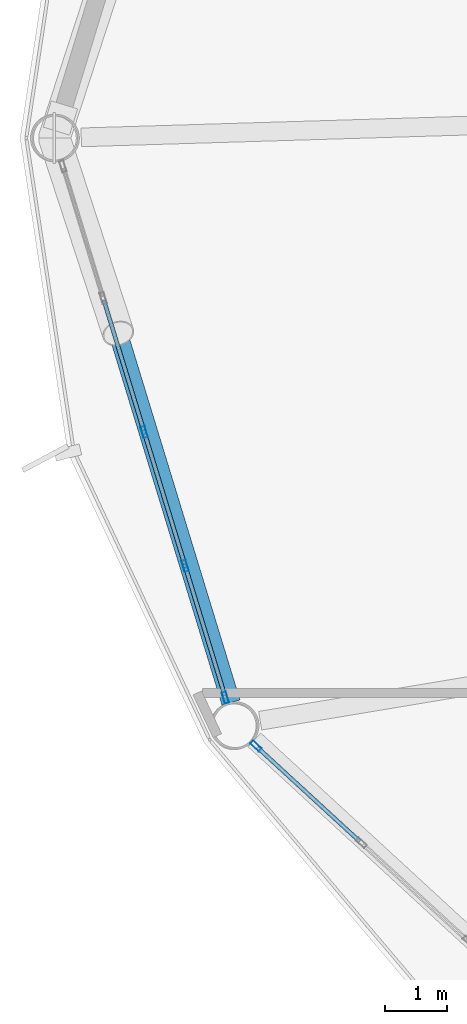
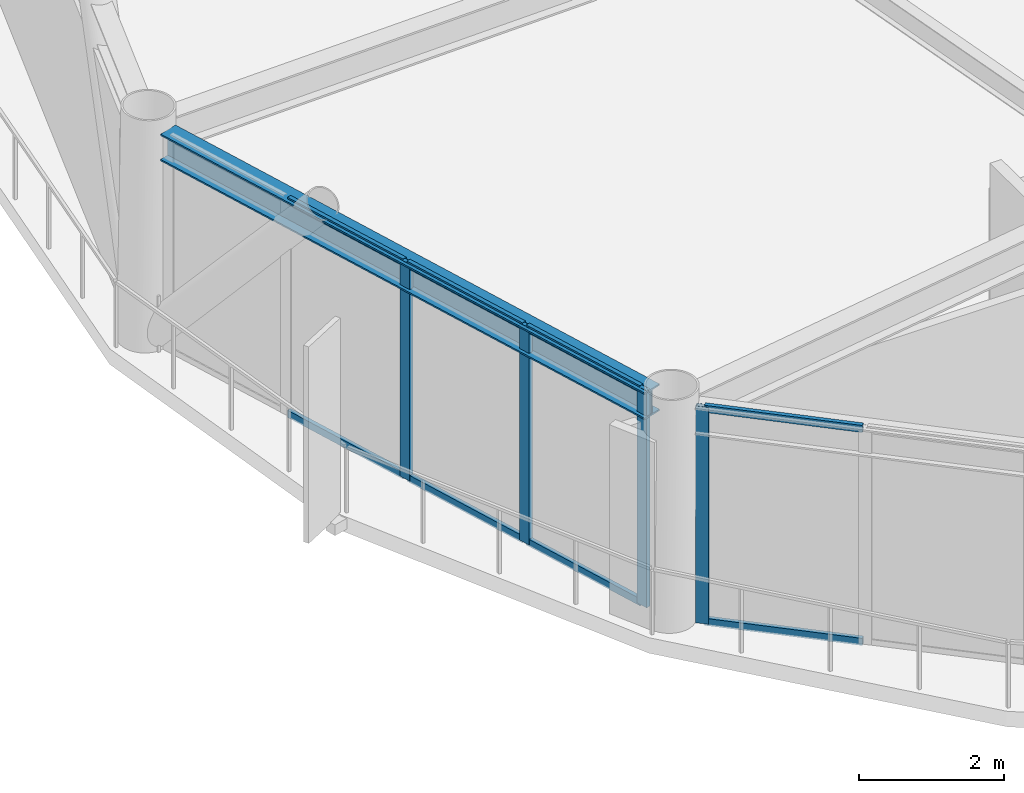
# One storey, part 5 of 25: 12 members, 1 beam, 2 elements without a shape of their own.
"""IFC4 building model written with IfcOpenShell, lengths in metres."""

from ifc_helpers import new_model, si_unit, direction, frame, origin, origin_2d, place, context, subcontext, project, spatial, hollow_rectangle, i_section, extrude, material, layer, layer_set, material_profile, profile_set, type_object, element, aggregate, save


model = new_model("IFC4")

# Units and contexts
model_context = context("Model", 3, precision=1e-05, world=origin(), true_north=direction((0.0, 1.0)))
body_context = subcontext(model_context, "Body", "Model", "MODEL_VIEW")
ifc_project = project(units=[si_unit("LENGTHUNIT", "METRE"), si_unit("AREAUNIT", "SQUARE_METRE"), si_unit("VOLUMEUNIT", "CUBIC_METRE"), si_unit("PLANEANGLEUNIT", "RADIAN"), si_unit("MASSUNIT", "GRAM", prefix="KILO")], contexts=[model_context])

# Site, building, storey
site_placement = place(None, origin())
site = spatial("IfcSite", under=ifc_project, at=site_placement, CompositionType="ELEMENT")
building_placement = place(site_placement, origin())
building = spatial("IfcBuilding", under=site, at=building_placement, Name="Varnakorn Sky Granary", CompositionType="ELEMENT")
storey_placement = place(building_placement, frame((0.0, 0.0, 157.800048828125)))
storey = spatial("IfcBuildingStorey", under=building, at=storey_placement, Name="L39", CompositionType="ELEMENT", Elevation=157.800048828125)

# Beam
ifc_material_1 = material(Name="Steel S355JR", Category="steel")
ifc_material_profile_1 = material_profile(ifc_material_1, i_section(OverallWidth=0.300048828125, OverallDepth=0.449951171875, WebThickness=0.013916015625, FlangeThickness=0.02587890625, at=origin_2d()), Name="HE 450 B")
ifc_profile_set_1 = profile_set([ifc_material_profile_1], Name="Steel S355JR")
beam_type = type_object("IfcBeamType", Name="BM-SPD-Z3", PredefinedType="SPANDREL", material=ifc_profile_set_1)
beam_placement = place(storey_placement, frame((-21.97607421875, -0.35009765625, 3.4150390625), z_axis=(0.292302349769, -0.95632595715, 0.0), x_axis=(0.95632595715, 0.292302349769, 0.0)))
element("IfcBeam", 1, at=beam_placement, inside=storey, type_object=beam_type, Name="Perimeter Spandrel Ring Beam RB07 L39", PredefinedType="SPANDREL", context=body_context, shape_type="SweptSolid", body=[
    extrude(i_section(OverallWidth=0.300048828125, OverallDepth=0.449951171875, WebThickness=0.013916015625, FlangeThickness=0.02587890625, at=origin_2d()), origin(), (0.0, 0.0, 1.0), 9.102294921875),
])

# Curtain wall, members
ifc_material_2 = material(Name="Anodised Bronze Aluminium Alloy 6063-T6", Category="aluminium")
ifc_layer = layer(ifc_material_2, 0.179931640625, Name="Anodised Bronze Aluminium Alloy 6063-T6")
ifc_layer_set = layer_set([ifc_layer], Name="Anodised Bronze Aluminium Alloy 6063-T6")
curtain_wall_type = type_object("IfcCurtainWallType", Name="CW-FRM-2", PredefinedType="USERDEFINED", material=ifc_layer_set)
curtain_wall_1_placement = place(storey_placement, origin())
curtain_wall_1 = element("IfcCurtainWall", 2, at=curtain_wall_1_placement, inside=storey, type_object=curtain_wall_type, Name="Unitised Curtain Wall CW4 CW-L39-B07", ObjectType="CURTAIN WALL", PredefinedType="USERDEFINED")
ifc_material_profile_2 = material_profile(ifc_material_2, hollow_rectangle(XDim=0.070068359375, YDim=0.18505859375, WallThickness=0.00390625, at=origin_2d()), Name="ALU MULL 70x185")
ifc_profile_set_2 = profile_set([ifc_material_profile_2], Name="Anodised Bronze Aluminium Alloy 6063-T6")
member_type_1 = type_object("IfcMemberType", Name="CW-FRM-2-MULL", PredefinedType="MULLION", material=ifc_profile_set_2)
member_1_placement = place(storey_placement, frame((-19.40576171875, -8.973876953125, 0.0), z_axis=(0.0, 0.0, 1.0), x_axis=(-0.956285487448, -0.292434721769, 0.0)))
member_1 = element("IfcMember", 3, at=member_1_placement, type_object=member_type_1, Name="CW4 mullion 1", PredefinedType="MULLION", context=body_context, shape_type="SweptSolid", body=[
    extrude(hollow_rectangle(XDim=0.070068359375, YDim=0.18505859375, WallThickness=0.00390625, at=origin_2d()), origin(), (0.0, 0.0, 1.0), 3.639892578125),
])
member_2_placement = place(storey_placement, frame((-20.0517578125, -6.86083984375, 0.0), z_axis=(0.0, 0.0, 1.0), x_axis=(-0.956285487448, -0.292434721769, 0.0)))
member_2 = element("IfcMember", 4, at=member_2_placement, type_object=member_type_1, Name="CW4 mullion 2", PredefinedType="MULLION", context=body_context, shape_type="SweptSolid", body=[
    extrude(hollow_rectangle(XDim=0.070068359375, YDim=0.18505859375, WallThickness=0.00390625, at=origin_2d()), origin(), (0.0, 0.0, 1.0), 3.639892578125),
])
member_3_placement = place(storey_placement, frame((-20.708251953125, -4.714599609375, 0.0), z_axis=(0.0, 0.0, 1.0), x_axis=(-0.956285487448, -0.292434721769, 0.0)))
member_3 = element("IfcMember", 5, at=member_3_placement, type_object=member_type_1, Name="CW4 mullion 3", PredefinedType="MULLION", context=body_context, shape_type="SweptSolid", body=[
    extrude(hollow_rectangle(XDim=0.070068359375, YDim=0.18505859375, WallThickness=0.00390625, at=origin_2d()), origin(), (0.0, 0.0, 1.0), 3.639892578125),
])

# Curtain wall, member
curtain_wall_2_placement = place(storey_placement, origin())
curtain_wall_2 = element("IfcCurtainWall", 6, at=curtain_wall_2_placement, inside=storey, type_object=curtain_wall_type, Name="Unitised Curtain Wall CW4 CW-L39-B08", ObjectType="CURTAIN WALL", PredefinedType="USERDEFINED")
member_4_placement = place(storey_placement, frame((-18.916015625, -9.7509765625, 0.0), z_axis=(0.0, 0.0, 1.0), x_axis=(-0.676758169844, -0.73620539223, 0.0)))
member_4 = element("IfcMember", 7, at=member_4_placement, type_object=member_type_1, Name="CW4 mullion 5", PredefinedType="MULLION", context=body_context, shape_type="SweptSolid", body=[
    extrude(hollow_rectangle(XDim=0.070068359375, YDim=0.18505859375, WallThickness=0.00390625, at=origin_2d()), origin(), (0.0, 0.0, 1.0), 3.639892578125),
])

# Member
ifc_material_profile_3 = material_profile(ifc_material_2, hollow_rectangle(XDim=0.06494140625, YDim=0.1201171875, WallThickness=0.00341796875, at=origin_2d()), Name="ALU TRAN 65x120")
ifc_profile_set_3 = profile_set([ifc_material_profile_3], Name="Anodised Bronze Aluminium Alloy 6063-T6")
member_type_2 = type_object("IfcMemberType", Name="CW-FRM-2-TRAN", PredefinedType="USERDEFINED", material=ifc_profile_set_3)
member_5_placement = place(storey_placement, frame((-19.416015625, -8.9404296875, 0.032470703125), z_axis=(-0.292441737886, 0.956283341872, 0.0), x_axis=(-0.956283341872, -0.292441737886, 0.0)))
member_5 = element("IfcMember", 8, at=member_5_placement, type_object=member_type_2, Name="CW4 transom 1.1", ObjectType="TRANSOM", PredefinedType="USERDEFINED", context=body_context, shape_type="SweptSolid", body=[
    extrude(hollow_rectangle(XDim=0.06494140625, YDim=0.1201171875, WallThickness=0.00341796875, at=origin_2d()), origin(), (0.0, 0.0, 1.0), 2.1396484375),
])

member_6_placement = place(storey_placement, frame((-19.416015625, -8.9404296875, 3.607421875), z_axis=(-0.292441737886, 0.956283341872, 0.0), x_axis=(-0.956283341872, -0.292441737886, 0.0)))
member_6 = element("IfcMember", 9, at=member_6_placement, type_object=member_type_2, Name="CW4 transom 1.2", ObjectType="TRANSOM", PredefinedType="USERDEFINED", context=body_context, shape_type="SweptSolid", body=[
    extrude(hollow_rectangle(XDim=0.06494140625, YDim=0.1201171875, WallThickness=0.00341796875, at=origin_2d()), origin(), (0.0, 0.0, 1.0), 2.1396484375),
])

member_7_placement = place(storey_placement, frame((-20.06201171875, -6.827392578125, 0.032470703125), z_axis=(-0.292483807527, 0.956270475511, 0.0), x_axis=(-0.956270475511, -0.292483807527, 0.0)))
member_7 = element("IfcMember", 10, at=member_7_placement, type_object=member_type_2, Name="CW4 transom 2.1", ObjectType="TRANSOM", PredefinedType="USERDEFINED", context=body_context, shape_type="SweptSolid", body=[
    extrude(hollow_rectangle(XDim=0.06494140625, YDim=0.1201171875, WallThickness=0.00341796875, at=origin_2d()), origin(), (0.0, 0.0, 1.0), 2.17431640625),
])

member_8_placement = place(storey_placement, frame((-20.06201171875, -6.827392578125, 3.607421875), z_axis=(-0.292483807527, 0.956270475511, 0.0), x_axis=(-0.956270475511, -0.292483807527, 0.0)))
member_8 = element("IfcMember", 11, at=member_8_placement, type_object=member_type_2, Name="CW4 transom 2.2", ObjectType="TRANSOM", PredefinedType="USERDEFINED", context=body_context, shape_type="SweptSolid", body=[
    extrude(hollow_rectangle(XDim=0.06494140625, YDim=0.1201171875, WallThickness=0.00341796875, at=origin_2d()), origin(), (0.0, 0.0, 1.0), 2.17431640625),
])

member_9_placement = place(storey_placement, frame((-20.718505859375, -4.680908203125, 0.032470703125), z_axis=(-0.292483807527, 0.956270475511, 0.0), x_axis=(-0.956270475511, -0.292483807527, 0.0)))
member_9 = element("IfcMember", 12, at=member_9_placement, type_object=member_type_2, Name="CW4 transom 3.1", ObjectType="TRANSOM", PredefinedType="USERDEFINED", context=body_context, shape_type="SweptSolid", body=[
    extrude(hollow_rectangle(XDim=0.06494140625, YDim=0.1201171875, WallThickness=0.00341796875, at=origin_2d()), origin(), (0.0, 0.0, 1.0), 2.17431640625),
])

member_10_placement = place(storey_placement, frame((-20.718505859375, -4.680908203125, 3.607421875), z_axis=(-0.292483807527, 0.956270475511, 0.0), x_axis=(-0.956270475511, -0.292483807527, 0.0)))
member_10 = element("IfcMember", 13, at=member_10_placement, type_object=member_type_2, Name="CW4 transom 3.2", ObjectType="TRANSOM", PredefinedType="USERDEFINED", context=body_context, shape_type="SweptSolid", body=[
    extrude(hollow_rectangle(XDim=0.06494140625, YDim=0.1201171875, WallThickness=0.00341796875, at=origin_2d()), origin(), (0.0, 0.0, 1.0), 2.17431640625),
])

aggregate(curtain_wall_1, [member_1, member_2, member_3, member_5, member_6, member_7, member_8, member_9, member_10])

member_11_placement = place(storey_placement, frame((-17.252685546875, -11.280029296875, 0.032470703125), z_axis=(-0.736224061665, 0.676737859903, 0.0), x_axis=(-0.676737859903, -0.736224061665, 0.0)))
member_11 = element("IfcMember", 14, at=member_11_placement, type_object=member_type_2, Name="CW4 transom 4.1", ObjectType="TRANSOM", PredefinedType="USERDEFINED", context=body_context, shape_type="SweptSolid", body=[
    extrude(hollow_rectangle(XDim=0.06494140625, YDim=0.1201171875, WallThickness=0.00341796875, at=origin_2d()), origin(), (0.0, 0.0, 1.0), 2.224365234375),
])

member_12_placement = place(storey_placement, frame((-17.252685546875, -11.280029296875, 3.607421875), z_axis=(-0.736224061665, 0.676737859903, 0.0), x_axis=(-0.676737859903, -0.736224061665, 0.0)))
member_12 = element("IfcMember", 15, at=member_12_placement, type_object=member_type_2, Name="CW4 transom 4.2", ObjectType="TRANSOM", PredefinedType="USERDEFINED", context=body_context, shape_type="SweptSolid", body=[
    extrude(hollow_rectangle(XDim=0.06494140625, YDim=0.1201171875, WallThickness=0.00341796875, at=origin_2d()), origin(), (0.0, 0.0, 1.0), 2.224365234375),
])

aggregate(curtain_wall_2, [member_4, member_11, member_12])

save(model, "model.ifc")
